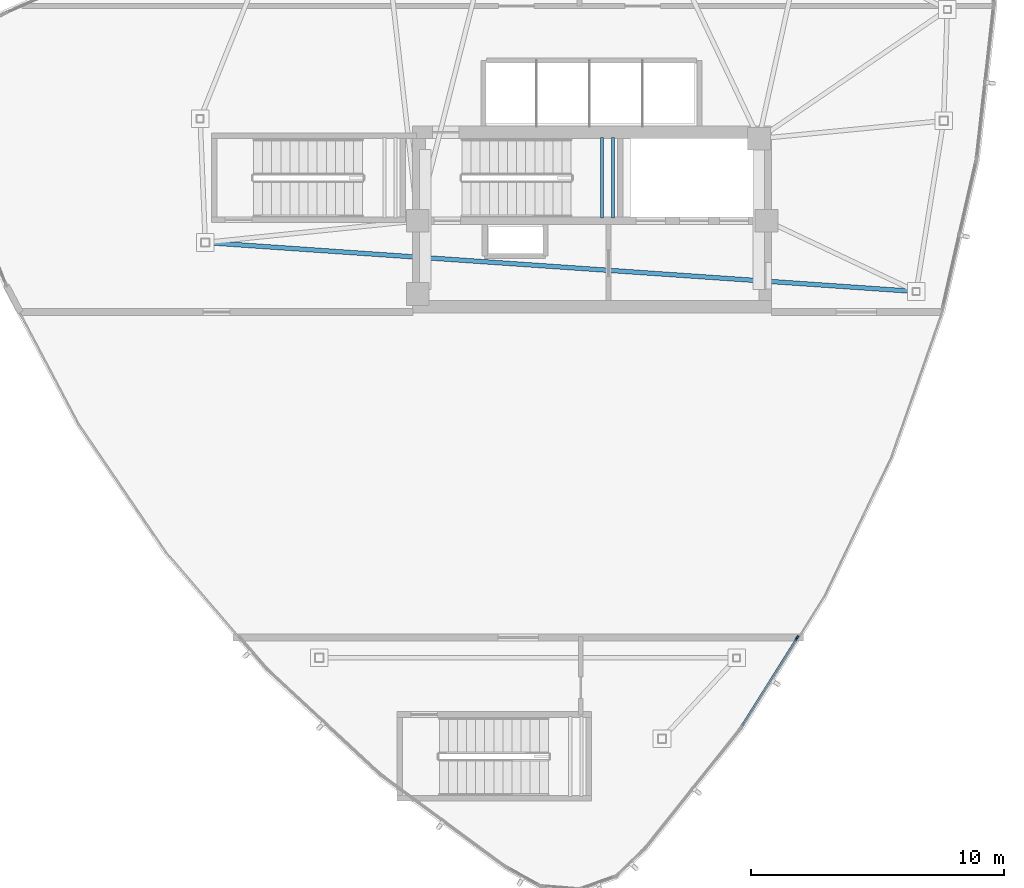
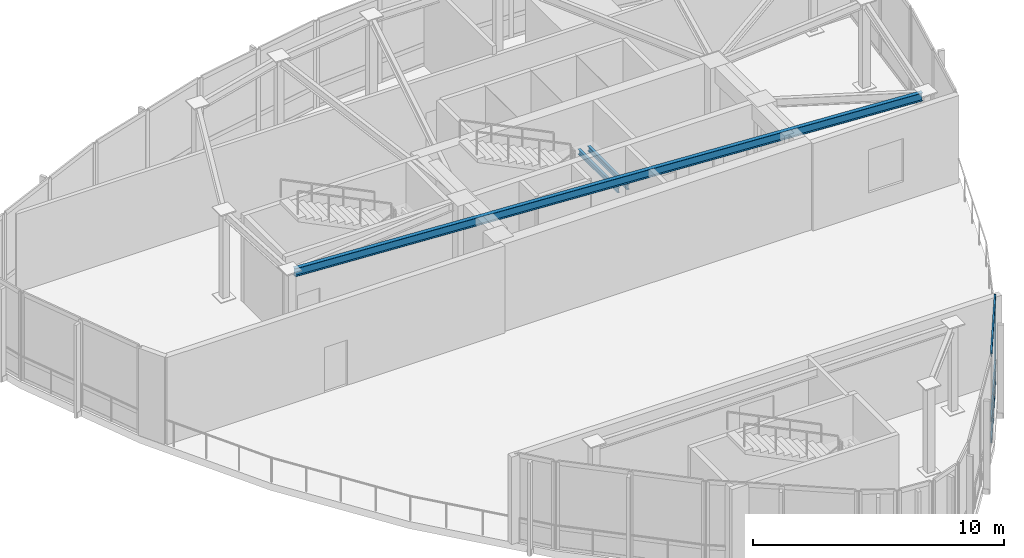
# One storey, part 4 of 16: 4 members, 3 beams, 1 element without a shape of its own.
"""IFC4 building model written with IfcOpenShell, lengths in metres."""

from ifc_helpers import new_model, si_unit, direction, frame, origin, origin_2d, place, context, subcontext, project, spatial, hollow_rectangle, i_section, extrude, source, transform, mapped, material, layer, layer_set, material_profile, profile_set, type_object, type_shapes, element, aggregate, save


model = new_model("IFC4")

# Units and contexts
model_context = context("Model", 3, precision=1e-05, world=origin(), true_north=direction((0.0, 1.0)))
body_context = subcontext(model_context, "Body", "Model", "MODEL_VIEW")
ifc_project = project(units=[si_unit("LENGTHUNIT", "METRE"), si_unit("AREAUNIT", "SQUARE_METRE"), si_unit("VOLUMEUNIT", "CUBIC_METRE"), si_unit("PLANEANGLEUNIT", "RADIAN"), si_unit("MASSUNIT", "GRAM", prefix="KILO")], contexts=[model_context])

# Site, building, storey
site_placement = place(None, origin())
site = spatial("IfcSite", under=ifc_project, at=site_placement, CompositionType="ELEMENT")
building_placement = place(site_placement, origin())
building = spatial("IfcBuilding", under=site, at=building_placement, Name="Tavelor Broadcast Tower", CompositionType="ELEMENT")
storey_placement = place(building_placement, frame((0.0, 0.0, 332.10009765625)))
storey = spatial("IfcBuildingStorey", under=building, at=storey_placement, Name="L79", CompositionType="ELEMENT", Elevation=332.10009765625)

# Beams
ifc_material_1 = material(Name="Steel S355", Category="steel")
ifc_material_profile_1 = material_profile(ifc_material_1, i_section(OverallWidth=0.179931640625, OverallDepth=0.39990234375, WebThickness=0.008544921875, FlangeThickness=0.013427734375, at=origin_2d()), Name="IPE 400")
ifc_profile_set_1 = profile_set([ifc_material_profile_1], Name="Steel S355")
beam_type_1 = type_object("IfcBeamType", Name="Crown Ring Spandrel Beam IPE400", PredefinedType="SPANDREL", material=ifc_profile_set_1)
beam_placement = place(storey_placement, frame((34.868896484375, 47.07763671875, 4.0498046875), z_axis=(0.997631178399, -0.068789765859, 0.0), x_axis=(0.068789765859, 0.997631178399, 0.0)))
element("IfcBeam", 1, at=beam_placement, inside=storey, type_object=beam_type_1, Name="L79 Crown Peak A Ring Spandrel 3", PredefinedType="SPANDREL", context=body_context, shape_type="SweptSolid", body=[
    extrude(i_section(OverallWidth=0.179931640625, OverallDepth=0.39990234375, WebThickness=0.008544921875, FlangeThickness=0.013427734375, at=origin_2d()), origin(), (0.0, 0.0, 1.0), 27.870849609375),
])
ifc_material_profile_2 = material_profile(ifc_material_1, i_section(OverallWidth=0.1201171875, OverallDepth=0.239990234375, WebThickness=0.006103515625, FlangeThickness=0.009765625, at=origin_2d()), Name="IPE 240")
ifc_profile_set_2 = profile_set([ifc_material_profile_2], Name="Steel S355")
beam_type_2 = type_object("IfcBeamType", Name="Stairwell Landing Support Trimmer Beam IPE240", PredefinedType="BEAM", material=ifc_profile_set_2)
for number, where, z_axis, x_axis, name in (
    (2, (50.385009765625, 48.06005859375, 1.98486328125), (0.0, 1.0, 0.0), (-1.0, 0.0, 0.0), "L79 Stair Landing Support Beam 203"),
    (3, (50.824951171875, 48.06005859375, 1.98486328125), (0.0, 1.0, 0.0), (-1.0, 0.0, 0.0), "L79 Stair Landing Support Beam 204"),
):
    element("IfcBeam", number, at=place(storey_placement, frame(where, z_axis=z_axis, x_axis=x_axis)), inside=storey, type_object=beam_type_2, Name=name, PredefinedType="BEAM", context=body_context, shape_type="SweptSolid", body=[
        extrude(i_section(OverallWidth=0.1201171875, OverallDepth=0.239990234375, WebThickness=0.006103515625, FlangeThickness=0.009765625, at=origin_2d()), origin(), (0.0, 0.0, 1.0), 3.179931640625),
    ])

# Curtain wall, members
ifc_material_2 = material(Name="Architectural Anodized Aluminium", Category="aluminium")
ifc_layer = layer(ifc_material_2, 0.2099609375)
ifc_layer_set = layer_set([ifc_layer], Name="Architectural Anodized Aluminium")
curtain_wall_type = type_object("IfcCurtainWallType", Name="Split-Crown Beacon Curtain Wall CW06", PredefinedType="NOTDEFINED", material=ifc_layer_set)
curtain_wall_placement = place(storey_placement, origin())
curtain_wall = element("IfcCurtainWall", 4, at=curtain_wall_placement, inside=storey, type_object=curtain_wall_type, Name="L79 Curtain Wall CW06 Run 902", PredefinedType="NOTDEFINED")
ifc_material_profile_3 = material_profile(ifc_material_2, hollow_rectangle(XDim=0.072021484375, YDim=0.2099609375, WallThickness=0.02197265625, at=origin_2d()), Name="RHS 72x210x22")
ifc_profile_set_3 = profile_set([ifc_material_profile_3], Name="Architectural Anodized Aluminium")
member_type_1 = type_object("IfcMemberType", Name="CW06 Extruded Aluminium Mullion 72x210", PredefinedType="MULLION", material=ifc_profile_set_3)
shared_shape_1 = source(origin(), body_context, "Body", "SweptSolid", [
    extrude(hollow_rectangle(XDim=0.072021484375, YDim=0.2099609375, WallThickness=0.02197265625, at=origin_2d()), origin(), (0.0, 0.0, 1.0), 4.25),
])
type_shapes(member_type_1, [shared_shape_1])
member_1_placement = place(storey_placement, frame((58.105224609375, 31.429443359375, 0.0), z_axis=(0.0, 0.0, 1.0), x_axis=(-0.84667099094, 0.532116747623, 0.0)))
member_1 = element("IfcMember", 5, at=member_1_placement, type_object=member_type_1, Name="CW06 mullion 2", PredefinedType="MULLION", context=body_context, shape_type="MappedRepresentation", body=[
    mapped(shared_shape_1, transform((0.0, 0.0, 0.0), scale=1.0)),
])
ifc_material_profile_4 = material_profile(ifc_material_2, hollow_rectangle(XDim=0.072021484375, YDim=0.2099609375, WallThickness=0.02197265625, at=origin_2d()), Name="RHS 72x210x22")
ifc_profile_set_4 = profile_set([ifc_material_profile_4], Name="Architectural Anodized Aluminium")
member_type_2 = type_object("IfcMemberType", Name="CW06 Extruded Aluminium Transom 72x210", PredefinedType="USERDEFINED", material=ifc_profile_set_4)
shared_shape_2 = source(origin(), body_context, "Body", "SweptSolid", [
    extrude(hollow_rectangle(XDim=0.072021484375, YDim=0.2099609375, WallThickness=0.02197265625, at=origin_2d()), origin(), (0.0, 0.0, 1.0), 4.0419921875),
])
type_shapes(member_type_2, [shared_shape_2])
member_2_placement = place(storey_placement, frame((55.935302734375, 27.976806640625, 0.035888671875), z_axis=(0.532141856358, 0.846655210054, 0.0), x_axis=(-0.846655210054, 0.532141856358, 0.0)))
member_2 = element("IfcMember", 6, at=member_2_placement, type_object=member_type_2, Name="CW06 transom 1.1", ObjectType="TRANSOM", PredefinedType="USERDEFINED", context=body_context, shape_type="MappedRepresentation", body=[
    mapped(shared_shape_2, transform((0.0, 0.0, 0.0), scale=1.0)),
])
member_3_placement = place(storey_placement, frame((55.935302734375, 27.976806640625, 1.0498046875), z_axis=(0.532141856358, 0.846655210054, 0.0), x_axis=(-0.846655210054, 0.532141856358, 0.0)))
member_3 = element("IfcMember", 7, at=member_3_placement, type_object=member_type_2, Name="CW06 transom 1.2", ObjectType="TRANSOM", PredefinedType="USERDEFINED", context=body_context, shape_type="MappedRepresentation", body=[
    mapped(shared_shape_2, transform((0.0, 0.0, 0.0), scale=1.0)),
])
member_4_placement = place(storey_placement, frame((55.935302734375, 27.976806640625, 4.2138671875), z_axis=(0.532141856358, 0.846655210054, 0.0), x_axis=(-0.846655210054, 0.532141856358, 0.0)))
member_4 = element("IfcMember", 8, at=member_4_placement, type_object=member_type_2, Name="CW06 transom 1.3", ObjectType="TRANSOM", PredefinedType="USERDEFINED", context=body_context, shape_type="MappedRepresentation", body=[
    mapped(shared_shape_2, transform((0.0, 0.0, 0.0), scale=1.0)),
])
aggregate(curtain_wall, [member_1, member_2, member_3, member_4])

save(model, "model.ifc")
